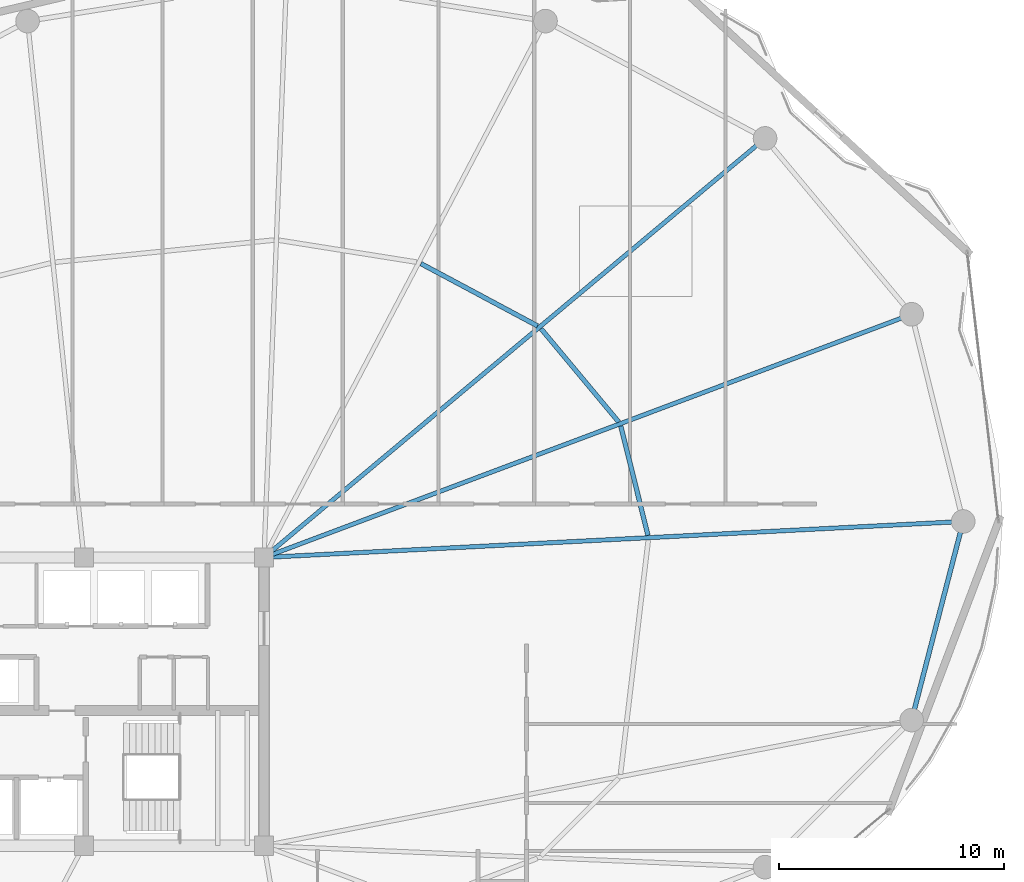
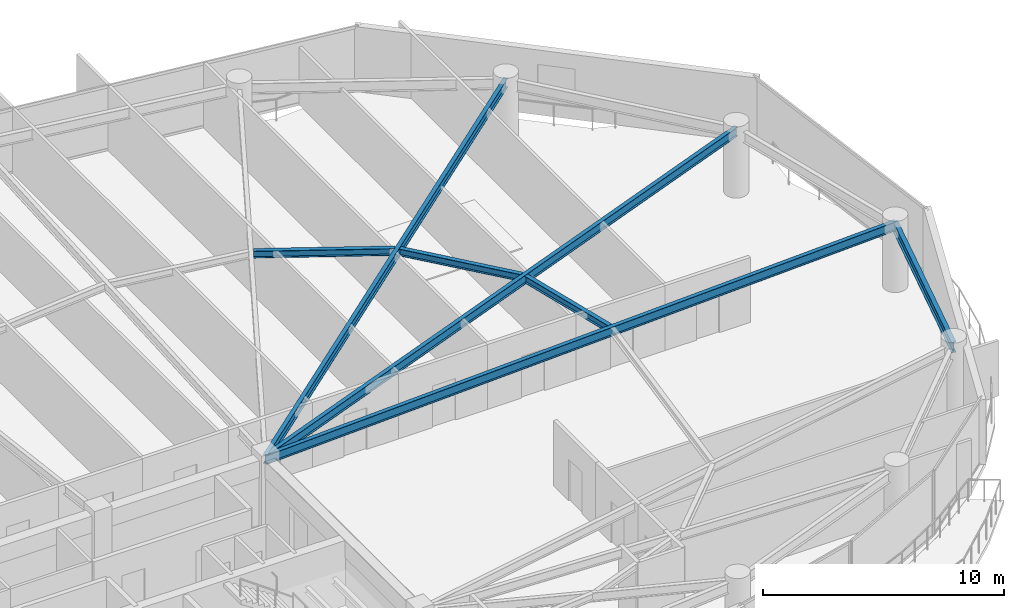
# One storey, part 15 of 31: 7 beams.
"""IFC4 building model written with IfcOpenShell, lengths in metres."""

from ifc_helpers import new_model, si_unit, direction, frame, origin, origin_2d, place, context, subcontext, project, spatial, i_section, extrude, material, material_profile, profile_set, type_object, element, save


model = new_model("IFC4")

# Units and contexts
model_context = context("Model", 3, precision=1e-05, world=origin(), true_north=direction((0.0, 1.0)))
body_context = subcontext(model_context, "Body", "Model", "MODEL_VIEW")
ifc_project = project(units=[si_unit("LENGTHUNIT", "METRE"), si_unit("AREAUNIT", "SQUARE_METRE"), si_unit("VOLUMEUNIT", "CUBIC_METRE"), si_unit("PLANEANGLEUNIT", "RADIAN"), si_unit("MASSUNIT", "GRAM", prefix="KILO")], contexts=[model_context])

# Site, building, storey
site_placement = place(None, origin())
site = spatial("IfcSite", under=ifc_project, at=site_placement, CompositionType="ELEMENT")
building_placement = place(site_placement, origin())
building = spatial("IfcBuilding", under=site, at=building_placement, Name="Kazevale Care Tower and Concert Hall", CompositionType="ELEMENT")
storey_placement = place(building_placement, frame((0.0, 0.0, 187.199951171875)))
storey = spatial("IfcBuildingStorey", under=building, at=storey_placement, Name="L49", CompositionType="ELEMENT", Elevation=187.199951171875)

# Beams
ifc_material = material(Name="Steel ASTM A572 Gr 50", Category="steel")
ifc_material_profile_1 = material_profile(ifc_material, i_section(OverallWidth=0.19091796875, OverallDepth=0.4599609375, WebThickness=0.010009765625, FlangeThickness=0.01611328125, at=origin_2d()), Name="W460x82")
ifc_profile_set_1 = profile_set([ifc_material_profile_1], Name="Steel ASTM A572 Gr 50")
beam_type_1 = type_object("IfcBeamType", Name="Radial Floor Beam W460x82", PredefinedType="BEAM", material=ifc_profile_set_1)
beam_1_placement = place(storey_placement, frame((44.0, 36.39990234375, 3.050048828125), z_axis=(0.998674821251, 0.051464564506, 0.0), x_axis=(-0.051464564506, 0.998674821251, 0.0)))
element("IfcBeam", 1, at=beam_1_placement, inside=storey, type_object=beam_type_1, Name="beam:L49:rad:01", PredefinedType="BEAM", context=body_context, shape_type="SweptSolid", body=[
    extrude(i_section(OverallWidth=0.19091796875, OverallDepth=0.4599609375, WebThickness=0.010009765625, FlangeThickness=0.01611328125, at=origin_2d()), origin(), (0.0, 0.0, 1.0), 31.09130859375),
])
beam_2_placement = place(storey_placement, frame((44.0, 36.39990234375, 3.050048828125), z_axis=(0.936168070124, 0.351552762015, 0.0), x_axis=(-0.351552762015, 0.936168070124, 0.0)))
element("IfcBeam", 2, at=beam_2_placement, inside=storey, type_object=beam_type_1, Name="beam:L49:rad:02", PredefinedType="BEAM", context=body_context, shape_type="SweptSolid", body=[
    extrude(i_section(OverallWidth=0.19091796875, OverallDepth=0.4599609375, WebThickness=0.010009765625, FlangeThickness=0.01611328125, at=origin_2d()), origin(), (0.0, 0.0, 1.0), 30.720947265625),
])
beam_3_placement = place(storey_placement, frame((44.0, 36.39990234375, 3.050048828125), z_axis=(0.767059624015, 0.64157582031, 0.0), x_axis=(-0.64157582031, 0.767059624015, 0.0)))
element("IfcBeam", 3, at=beam_3_placement, inside=storey, type_object=beam_type_1, Name="beam:L49:rad:03", PredefinedType="BEAM", context=body_context, shape_type="SweptSolid", body=[
    extrude(i_section(OverallWidth=0.19091796875, OverallDepth=0.4599609375, WebThickness=0.010009765625, FlangeThickness=0.01611328125, at=origin_2d()), origin(), (0.0, 0.0, 1.0), 29.0068359375),
])
ifc_material_profile_2 = material_profile(ifc_material, i_section(OverallWidth=0.205078125, OverallDepth=0.35400390625, WebThickness=0.009521484375, FlangeThickness=0.016845703125, at=origin_2d()), Name="W360x79")
ifc_profile_set_2 = profile_set([ifc_material_profile_2], Name="Steel ASTM A572 Gr 50")
beam_type_2 = type_object("IfcBeamType", Name="Secondary Floor Joist W360x79", PredefinedType="JOIST", material=ifc_profile_set_2)
beam_4_placement = place(storey_placement, frame((61.052001953125, 37.382080078125, 3.10302734375), z_axis=(-0.241594204931, 0.970377369967, 0.0), x_axis=(-0.970377369967, -0.241594204931, 0.0)))
element("IfcBeam", 4, at=beam_4_placement, inside=storey, type_object=beam_type_2, Name="beam:L49:joist:01", PredefinedType="JOIST", context=body_context, shape_type="SweptSolid", body=[
    extrude(i_section(OverallWidth=0.205078125, OverallDepth=0.35400390625, WebThickness=0.009521484375, FlangeThickness=0.016845703125, at=origin_2d()), origin(), (0.0, 0.0, 1.0), 5.004150390625),
])
beam_5_placement = place(storey_placement, frame((59.7509765625, 42.4208984375, 3.10302734375), z_axis=(-0.640295940788, 0.768128314939, 0.0), x_axis=(-0.768128314939, -0.640295940788, 0.0)))
element("IfcBeam", 5, at=beam_5_placement, inside=storey, type_object=beam_type_2, Name="beam:L49:joist:02", PredefinedType="JOIST", context=body_context, shape_type="SweptSolid", body=[
    extrude(i_section(OverallWidth=0.205078125, OverallDepth=0.35400390625, WebThickness=0.009521484375, FlangeThickness=0.016845703125, at=origin_2d()), origin(), (0.0, 0.0, 1.0), 5.3818359375),
])
beam_6_placement = place(storey_placement, frame((56.14501953125, 46.68505859375, 3.10302734375), z_axis=(-0.881943890935, 0.471354403016, 0.0), x_axis=(-0.471354403016, -0.881943890935, 0.0)))
element("IfcBeam", 6, at=beam_6_placement, inside=storey, type_object=beam_type_2, Name="beam:L49:joist:03", PredefinedType="JOIST", context=body_context, shape_type="SweptSolid", body=[
    extrude(i_section(OverallWidth=0.205078125, OverallDepth=0.35400390625, WebThickness=0.009521484375, FlangeThickness=0.016845703125, at=origin_2d()), origin(), (0.0, 0.0, 1.0), 5.869873046875),
])
ifc_material_profile_3 = material_profile(ifc_material, i_section(OverallWidth=0.208984375, OverallDepth=0.532958984375, WebThickness=0.01025390625, FlangeThickness=0.015625, at=origin_2d()), Name="W530x92")
ifc_profile_set_3 = profile_set([ifc_material_profile_3], Name="Steel ASTM A572 Gr 50")
beam_type_3 = type_object("IfcBeamType", Name="Upper Ring Beam W530x92", PredefinedType="BEAM", material=ifc_profile_set_3)
beam_7_placement = place(storey_placement, frame((72.760009765625, 29.179931640625, 3.013427734375), z_axis=(0.251307095899, 0.96790740443, 0.0), x_axis=(-0.96790740443, 0.251307095899, 0.0)))
element("IfcBeam", 7, at=beam_7_placement, inside=storey, type_object=beam_type_3, Name="beam:L49:ring:16", PredefinedType="BEAM", context=body_context, shape_type="SweptSolid", body=[
    extrude(i_section(OverallWidth=0.208984375, OverallDepth=0.532958984375, WebThickness=0.01025390625, FlangeThickness=0.015625, at=origin_2d()), origin(), (0.0, 0.0, 1.0), 9.112548828125),
])

save(model, "model.ifc")
